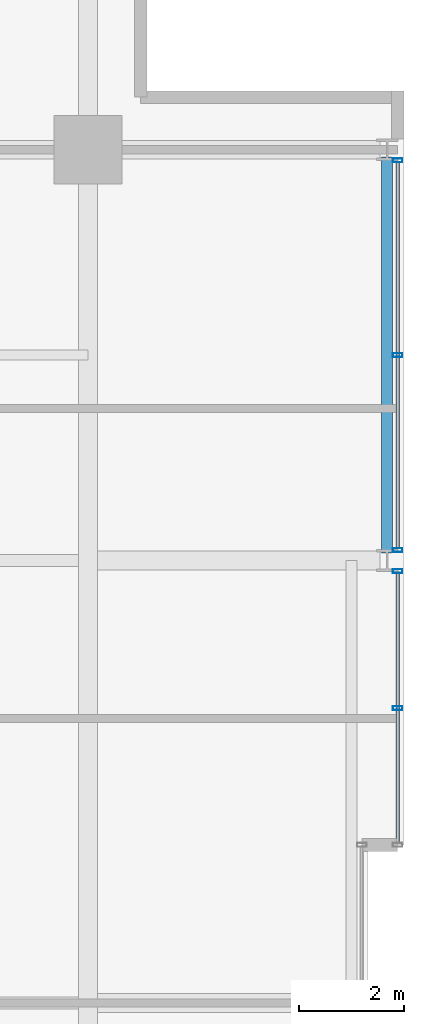
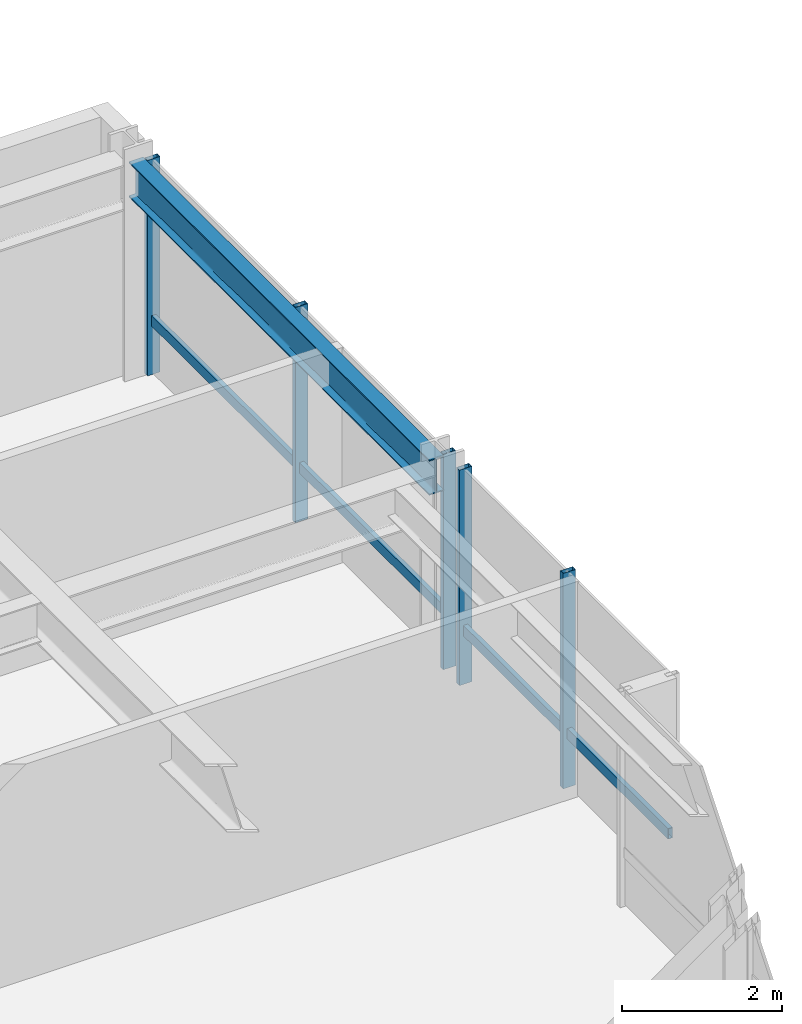
# One storey, part 23 of 32: 7 members, 1 beam, 2 elements without a shape of their own.
"""IFC4 building model written with IfcOpenShell, lengths in metres."""

from ifc_helpers import new_model, si_unit, direction, frame, origin, origin_2d, place, context, subcontext, project, spatial, hollow_rectangle, i_section, extrude, material, layer, layer_set, material_profile, profile_set, type_object, element, aggregate, save


model = new_model("IFC4")

# Units and contexts
model_context = context("Model", 3, precision=1e-05, world=origin(), true_north=direction((0.0, 1.0)))
body_context = subcontext(model_context, "Body", "Model", "MODEL_VIEW")
ifc_project = project(units=[si_unit("LENGTHUNIT", "METRE"), si_unit("AREAUNIT", "SQUARE_METRE"), si_unit("VOLUMEUNIT", "CUBIC_METRE"), si_unit("PLANEANGLEUNIT", "RADIAN"), si_unit("MASSUNIT", "GRAM", prefix="KILO")], contexts=[model_context])

# Site, building, storey
site_placement = place(None, origin())
site = spatial("IfcSite", under=ifc_project, at=site_placement, CompositionType="ELEMENT")
building_placement = place(site_placement, origin())
building = spatial("IfcBuilding", under=site, at=building_placement, Name="Drelvath Grand Hotel", CompositionType="ELEMENT")
storey_placement = place(building_placement, frame((0.0, 0.0, 150.39990234375)))
storey = spatial("IfcBuildingStorey", under=building, at=storey_placement, Name="L38", CompositionType="ELEMENT", Elevation=150.39990234375)

# Curtain wall, member
ifc_material_1 = material(Name="Brushed Pale-Silver Anodised Aluminium Frame", Category="aluminium")
ifc_layer = layer(ifc_material_1, 0.199951171875)
ifc_layer_set = layer_set([ifc_layer], Name="Brushed Pale-Silver Anodised Aluminium Frame")
curtain_wall_type = type_object("IfcCurtainWallType", Name="Stick Curtain Wall CW-04 Brushed Silver Upper-Mid", PredefinedType="NOTDEFINED", material=ifc_layer_set)
curtain_wall_1_placement = place(storey_placement, origin())
curtain_wall_1 = element("IfcCurtainWall", 1, at=curtain_wall_1_placement, inside=storey, type_object=curtain_wall_type, Name="L38 CW-04 Curtain Wall CW04-L38-EN1", PredefinedType="NOTDEFINED")
ifc_material_profile_1 = material_profile(ifc_material_1, hollow_rectangle(XDim=0.06494140625, YDim=0.159912109375, WallThickness=0.00390625, at=origin_2d()), Name="HSS160X65X4")
ifc_profile_set_1 = profile_set([ifc_material_profile_1], Name="Brushed Pale-Silver Anodised Aluminium Frame")
member_type_1 = type_object("IfcMemberType", Name="Curtain Wall Horizontal Transom CW-04 HSS160X65X4", PredefinedType="USERDEFINED", material=ifc_profile_set_1)
member_1_placement = place(storey_placement, frame((22.080078125, 35.159912109375, 0.822509765625), z_axis=(0.0, -1.0, 0.0), x_axis=(1.0, 0.0, 0.0)))
member_1 = element("IfcMember", 2, at=member_1_placement, type_object=member_type_1, Name="CW04-L38-EN1 Sill Transom", ObjectType="TRANSOM", PredefinedType="USERDEFINED", context=body_context, shape_type="SweptSolid", body=[
    extrude(hollow_rectangle(XDim=0.06494140625, YDim=0.159912109375, WallThickness=0.00390625, at=origin_2d()), origin(), (0.0, 0.0, 1.0), 5.119873046875),
])

curtain_wall_2_placement = place(storey_placement, origin())
curtain_wall_2 = element("IfcCurtainWall", 3, at=curtain_wall_2_placement, inside=storey, type_object=curtain_wall_type, Name="L38 CW-04 Curtain Wall CW04-L38-EN2", PredefinedType="NOTDEFINED")
member_2_placement = place(storey_placement, frame((22.080078125, 42.9599609375, 0.822509765625), z_axis=(0.0, -1.0, 0.0), x_axis=(1.0, 0.0, 0.0)))
member_2 = element("IfcMember", 4, at=member_2_placement, type_object=member_type_1, Name="CW04-L38-EN2 Sill Transom", ObjectType="TRANSOM", PredefinedType="USERDEFINED", context=body_context, shape_type="SweptSolid", body=[
    extrude(hollow_rectangle(XDim=0.06494140625, YDim=0.159912109375, WallThickness=0.00390625, at=origin_2d()), origin(), (0.0, 0.0, 1.0), 7.320068359375),
])

# Member
ifc_material_profile_2 = material_profile(ifc_material_1, hollow_rectangle(XDim=0.074951171875, YDim=0.179931640625, WallThickness=0.0048828125, at=origin_2d()), Name="HSS180X75X5")
ifc_profile_set_2 = profile_set([ifc_material_profile_2], Name="Brushed Pale-Silver Anodised Aluminium Frame")
member_type_2 = type_object("IfcMemberType", Name="Curtain Wall Vertical Mullion CW-04 HSS180X75X5", PredefinedType="MULLION", material=ifc_profile_set_2)
member_3_placement = place(storey_placement, frame((22.080078125, 35.199951171875, 0.0), z_axis=(0.0, 0.0, 1.0), x_axis=(0.0, 1.0, 0.0)))
member_3 = element("IfcMember", 5, at=member_3_placement, type_object=member_type_2, Name="CW04-L38-EN1 Mullion 1", PredefinedType="MULLION", context=body_context, shape_type="SweptSolid", body=[
    extrude(hollow_rectangle(XDim=0.074951171875, YDim=0.179931640625, WallThickness=0.0048828125, at=origin_2d()), origin(), (0.0, 0.0, 1.0), 3.2900390625),
])

member_4_placement = place(storey_placement, frame((22.080078125, 32.60009765625, 0.0), z_axis=(0.0, 0.0, 1.0), x_axis=(0.0, 1.0, 0.0)))
member_4 = element("IfcMember", 6, at=member_4_placement, type_object=member_type_2, Name="CW04-L38-EN1 Mullion 2", PredefinedType="MULLION", context=body_context, shape_type="SweptSolid", body=[
    extrude(hollow_rectangle(XDim=0.074951171875, YDim=0.179931640625, WallThickness=0.0048828125, at=origin_2d()), origin(), (0.0, 0.0, 1.0), 3.2900390625),
])

aggregate(curtain_wall_1, [member_3, member_4, member_1])

member_5_placement = place(storey_placement, frame((22.080078125, 43.0, 0.0), z_axis=(0.0, 0.0, 1.0), x_axis=(0.0, 1.0, 0.0)))
member_5 = element("IfcMember", 7, at=member_5_placement, type_object=member_type_2, Name="CW04-L38-EN2 Mullion 1", PredefinedType="MULLION", context=body_context, shape_type="SweptSolid", body=[
    extrude(hollow_rectangle(XDim=0.074951171875, YDim=0.179931640625, WallThickness=0.0048828125, at=origin_2d()), origin(), (0.0, 0.0, 1.0), 3.2900390625),
])

member_6_placement = place(storey_placement, frame((22.080078125, 39.300048828125, 0.0), z_axis=(0.0, 0.0, 1.0), x_axis=(0.0, 1.0, 0.0)))
member_6 = element("IfcMember", 8, at=member_6_placement, type_object=member_type_2, Name="CW04-L38-EN2 Mullion 2", PredefinedType="MULLION", context=body_context, shape_type="SweptSolid", body=[
    extrude(hollow_rectangle(XDim=0.074951171875, YDim=0.179931640625, WallThickness=0.0048828125, at=origin_2d()), origin(), (0.0, 0.0, 1.0), 3.2900390625),
])

member_7_placement = place(storey_placement, frame((22.080078125, 35.60009765625, 0.0), z_axis=(0.0, 0.0, 1.0), x_axis=(0.0, 1.0, 0.0)))
member_7 = element("IfcMember", 9, at=member_7_placement, type_object=member_type_2, Name="CW04-L38-EN2 Mullion 3", PredefinedType="MULLION", context=body_context, shape_type="SweptSolid", body=[
    extrude(hollow_rectangle(XDim=0.074951171875, YDim=0.179931640625, WallThickness=0.0048828125, at=origin_2d()), origin(), (0.0, 0.0, 1.0), 3.2900390625),
])

aggregate(curtain_wall_2, [member_5, member_6, member_7, member_2])

# Beam
ifc_material_2 = material(Name="Steel ASTM A992 Gr 50", Category="steel")
ifc_material_profile_3 = material_profile(ifc_material_2, i_section(OverallWidth=0.210205078125, OverallDepth=0.53662109375, WebThickness=0.010986328125, FlangeThickness=0.017333984375, FilletRadius=0.01806640625, at=origin_2d()), Name="W21X68")
ifc_profile_set_3 = profile_set([ifc_material_profile_3], Name="Steel ASTM A992 Gr 50")
beam_type = type_object("IfcBeamType", Name="Perimeter Spandrel Beam W21X68", PredefinedType="SPANDREL", material=ifc_profile_set_3)
beam_placement = place(storey_placement, frame((21.8798828125, 35.5400390625, 3.021728515625), z_axis=(0.0, 1.0, 0.0), x_axis=(-1.0, 0.0, 0.0)))
element("IfcBeam", 10, at=beam_placement, inside=storey, type_object=beam_type, Name="L38 Spandrel East N", PredefinedType="SPANDREL", context=body_context, shape_type="SweptSolid", body=[
    extrude(i_section(OverallWidth=0.210205078125, OverallDepth=0.53662109375, WebThickness=0.010986328125, FlangeThickness=0.017333984375, FilletRadius=0.01806640625, at=origin_2d()), origin(), (0.0, 0.0, 1.0), 7.52001953125),
])

save(model, "model.ifc")
